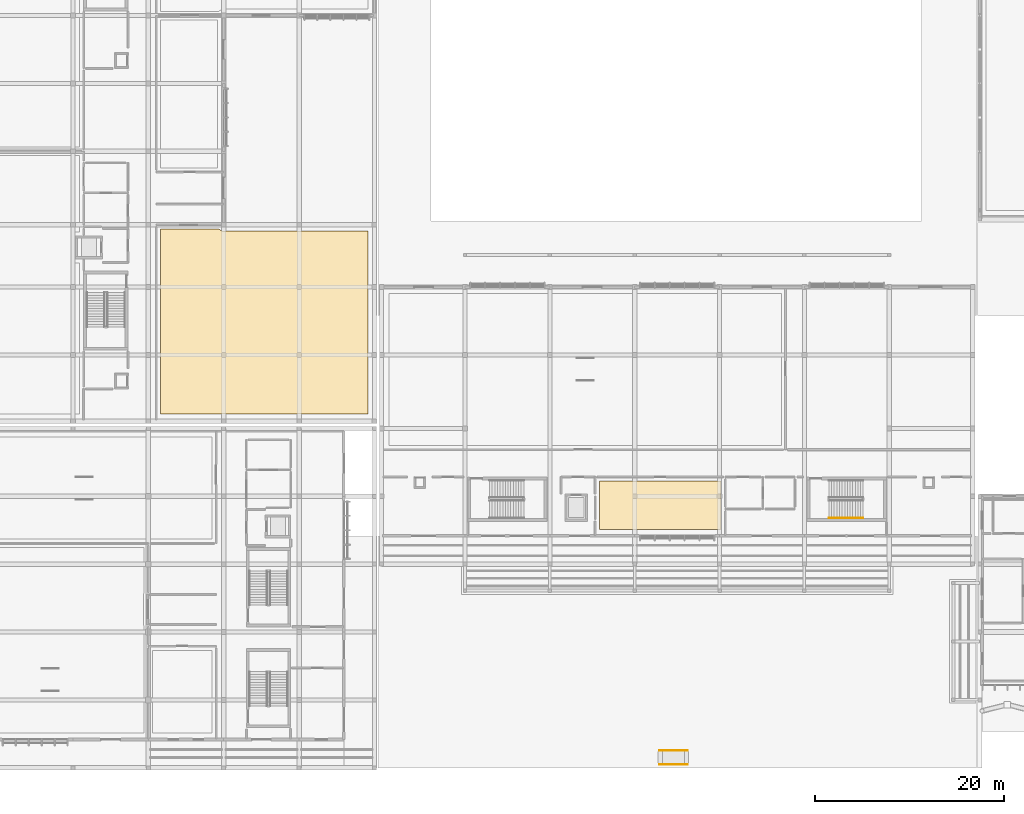
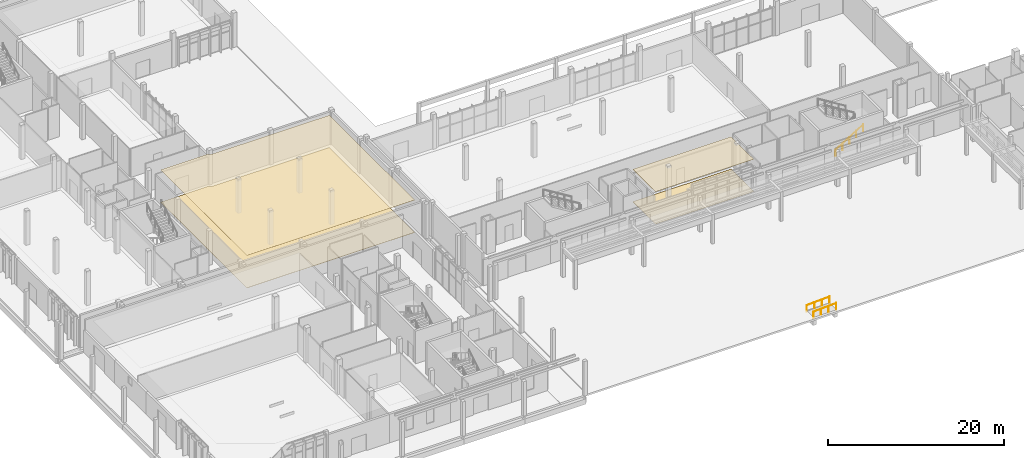
# One storey, part 137 of 151: 4 coverings, 3 railings.
"""IFC4 building model written with IfcOpenShell, lengths in metres."""

from ifc_helpers import new_model, si_unit, direction, frame, origin, origin_2d, place, context, subcontext, project, spatial, polyline, circle, outline, extrude, material, layer, layer_set, type_object, element, save


model = new_model("IFC4")

# Units and contexts
model_context = context("Model", 3, precision=1e-05, world=origin(), true_north=direction((0.0, 1.0)))
body_context = subcontext(model_context, "Body", "Model", "MODEL_VIEW")
ifc_project = project(units=[si_unit("LENGTHUNIT", "METRE"), si_unit("AREAUNIT", "SQUARE_METRE"), si_unit("VOLUMEUNIT", "CUBIC_METRE"), si_unit("PLANEANGLEUNIT", "RADIAN"), si_unit("MASSUNIT", "GRAM", prefix="KILO")], contexts=[model_context])

# Site, building, storey
site_placement = place(None, origin())
site = spatial("IfcSite", under=ifc_project, at=site_placement, CompositionType="ELEMENT")
building_placement = place(site_placement, origin())
building = spatial("IfcBuilding", under=site, at=building_placement, Name="Chiffa Square Polytechnic", CompositionType="ELEMENT")
storey_placement = place(building_placement, origin())
storey = spatial("IfcBuildingStorey", under=building, at=storey_placement, Name="L00", CompositionType="ELEMENT", Elevation=0.0)

# Coverings
ifc_material_1 = material(Name="Perforated gypsum acoustic board")
ifc_layer_1 = layer(ifc_material_1, 0.02490234375, Name="Perforated gypsum acoustic board")
ifc_layer_set_1 = layer_set([ifc_layer_1], Name="Perforated gypsum acoustic board")
covering_type_1 = type_object("IfcCoveringType", Name="COV-CEIL-GYP", PredefinedType="CEILING", material=ifc_layer_set_1)
covering_1_placement = place(storey_placement, frame((0.0, 0.0, 4.4970703125)))
element("IfcCovering", 1, at=covering_1_placement, inside=storey, type_object=covering_type_1, Name="Suspended acoustic ceiling CL-V4-L00-011", PredefinedType="CEILING", context=body_context, shape_type="SweptSolid", body=[
    extrude(outline(polyline([(71.85009765625, 30.39990234375), (84.75, 30.39990234375), (84.75, 25.27001953125), (71.85009765625, 25.27001953125), (71.85009765625, 30.39990234375)])), origin(), (0.0, 0.0, 1.0), 0.02490234375),
])
covering_2_placement = place(storey_placement, frame((0.0, 0.0, 4.4970703125)))
element("IfcCovering", 2, at=covering_2_placement, inside=storey, type_object=covering_type_1, Name="Suspended acoustic ceiling CL-V6-L00-020", PredefinedType="CEILING", context=body_context, shape_type="SweptSolid", body=[
    extrude(outline(polyline([(25.300048828125, 57.14990234375), (31.50390625, 57.14990234375), (31.510986328125, 57.14208984375), (31.5419921875, 57.111083984375), (31.55810546875, 57.096923828125), (31.592041015625, 57.068115234375), (31.610107421875, 57.055908203125), (31.64599609375, 57.031005859375), (31.6650390625, 57.02001953125), (31.7041015625, 56.9990234375), (31.722900390625, 56.989990234375), (31.763916015625, 56.972900390625), (31.784912109375, 56.966064453125), (31.826904296875, 56.952880859375), (31.847900390625, 56.947998046875), (31.89111328125, 56.93896484375), (31.912109375, 56.93603515625), (31.9560546875, 56.931884765625), (31.97802734375, 56.930908203125), (32.0, 56.929931640625), (47.330078125, 56.929931640625), (47.330078125, 37.52001953125), (25.300048828125, 37.52001953125), (25.300048828125, 57.14990234375)])), origin(), (0.0, 0.0, 1.0), 0.02490234375),
])
ifc_material_2 = material(Name="Polished cementitious terrazzo")
ifc_layer_2 = layer(ifc_material_2, 0.0400390625, Name="Polished cementitious terrazzo")
ifc_layer_set_2 = layer_set([ifc_layer_2], Name="Polished cementitious terrazzo")
covering_type_2 = type_object("IfcCoveringType", Name="COV-FLR-TERRAZZO", PredefinedType="FLOORING", material=ifc_layer_set_2)
covering_3_placement = place(storey_placement, origin())
element("IfcCovering", 3, at=covering_3_placement, inside=storey, type_object=covering_type_2, Name="Polished terrazzo floor finish FL-V4-L00-010", PredefinedType="FLOORING", context=body_context, shape_type="SweptSolid", body=[
    extrude(outline(polyline([(71.85009765625, 30.39990234375), (84.75, 30.39990234375), (84.75, 25.27001953125), (71.85009765625, 25.27001953125), (71.85009765625, 30.39990234375)])), origin(), (0.0, 0.0, 1.0), 0.0400390625),
])
covering_4_placement = place(storey_placement, origin())
element("IfcCovering", 4, at=covering_4_placement, inside=storey, type_object=covering_type_2, Name="Polished terrazzo floor finish FL-V6-L00-019", PredefinedType="FLOORING", context=body_context, shape_type="SweptSolid", body=[
    extrude(outline(polyline([(25.300048828125, 57.14990234375), (31.50390625, 57.14990234375), (31.510986328125, 57.14208984375), (31.5419921875, 57.111083984375), (31.55810546875, 57.096923828125), (31.592041015625, 57.068115234375), (31.610107421875, 57.055908203125), (31.64599609375, 57.031005859375), (31.6650390625, 57.02001953125), (31.7041015625, 56.9990234375), (31.722900390625, 56.989990234375), (31.763916015625, 56.972900390625), (31.784912109375, 56.966064453125), (31.826904296875, 56.952880859375), (31.847900390625, 56.947998046875), (31.89111328125, 56.93896484375), (31.912109375, 56.93603515625), (31.9560546875, 56.931884765625), (31.97802734375, 56.930908203125), (32.0, 56.929931640625), (47.330078125, 56.929931640625), (47.330078125, 37.52001953125), (25.300048828125, 37.52001953125), (25.300048828125, 57.14990234375)])), origin(), (0.0, 0.0, 1.0), 0.0400390625),
])

# Railings
ifc_material_3 = material(Name="Steel S355", Category="steel")
ifc_layer_3 = layer(ifc_material_3, 0.044921875, Name="Steel S355")
ifc_layer_set_3 = layer_set([ifc_layer_3], Name="Steel S355")
railing_type = type_object("IfcRailingType", Name="RL-STAIR-HAND", PredefinedType="HANDRAIL", material=ifc_layer_set_3)
railing_placement = place(storey_placement, frame((96.199951171875, 26.5, 0.17138671875)))
element("IfcRailing", 5, at=railing_placement, inside=storey, type_object=railing_type, Name="L00 ST-V4B stair handrail 1", PredefinedType="HANDRAIL", context=body_context, shape_type="SweptSolid", body=[
    extrude(circle(Radius=0.02392578125, at=origin_2d()), frame((0.0, 0.0, 0.89599609375), z_axis=(0.852865859571, 0.0, 0.52213008492), x_axis=(0.0, 1.0, 0.0)), (0.0, 0.0, 1.0), 4.26806640625),
    extrude(circle(Radius=0.02099609375, at=origin_2d()), origin(), (0.0, 0.0, 1.0), 0.871826171875),
    extrude(circle(Radius=0.02099609375, at=origin_2d()), frame((0.91015625, 0.0, 0.55712890625)), (0.0, 0.0, 1.0), 0.871826171875),
    extrude(circle(Radius=0.02099609375, at=origin_2d()), frame((1.820068359375, 0.0, 1.1142578125)), (0.0, 0.0, 1.0), 0.871826171875),
    extrude(circle(Radius=0.02099609375, at=origin_2d()), frame((2.72998046875, 0.0, 1.67138671875)), (0.0, 0.0, 1.0), 0.871826171875),
    extrude(circle(Radius=0.02099609375, at=origin_2d()), frame((3.64013671875, 0.0, 2.228515625)), (0.0, 0.0, 1.0), 0.871826171875),
])
for number, where, name in (
    (6, (78.199951171875, 0.35009765625, -0.14990234375), "Accessible pedestrian ramp south handrail"),
    (7, (78.199951171875, 1.85009765625, -0.14990234375), "Accessible pedestrian ramp north handrail"),
):
    element("IfcRailing", number, at=place(storey_placement, frame(where)), inside=storey, type_object=railing_type, Name=name, PredefinedType="HANDRAIL", context=body_context, shape_type="SweptSolid", body=[
        extrude(circle(Radius=0.02392578125, at=origin_2d()), frame((0.0, 0.0, 0.89599609375), z_axis=(0.998753959874, 0.0, 0.049905186472), x_axis=(0.0, 1.0, 0.0)), (0.0, 0.0, 1.0), 3.003662109375),
        extrude(circle(Radius=0.02099609375, at=origin_2d()), origin(), (0.0, 0.0, 1.0), 0.871826171875),
        extrude(circle(Radius=0.02099609375, at=origin_2d()), frame((1.0, 0.0, 0.050048828125)), (0.0, 0.0, 1.0), 0.871826171875),
        extrude(circle(Radius=0.02099609375, at=origin_2d()), frame((2.0, 0.0, 0.099853515625)), (0.0, 0.0, 1.0), 0.871826171875),
        extrude(circle(Radius=0.02099609375, at=origin_2d()), frame((3.0, 0.0, 0.14990234375)), (0.0, 0.0, 1.0), 0.871826171875),
    ])

save(model, "model.ifc")
